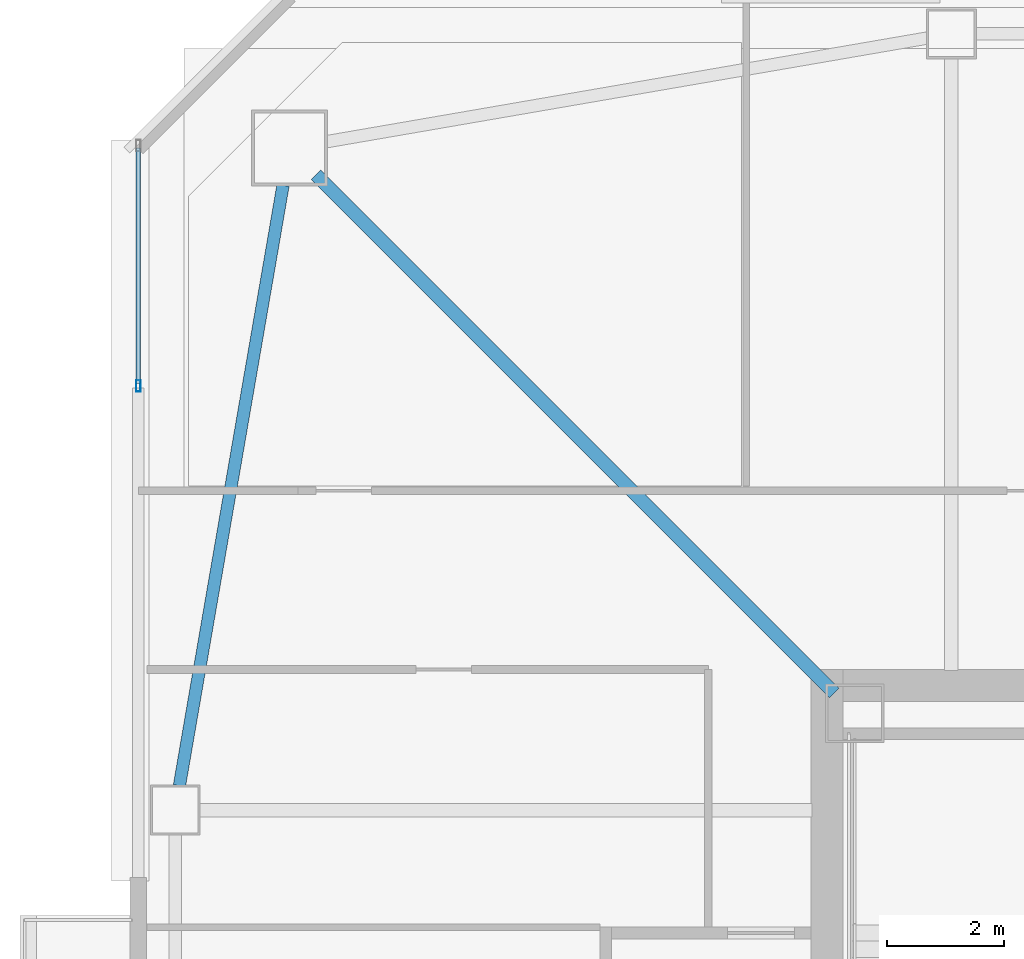
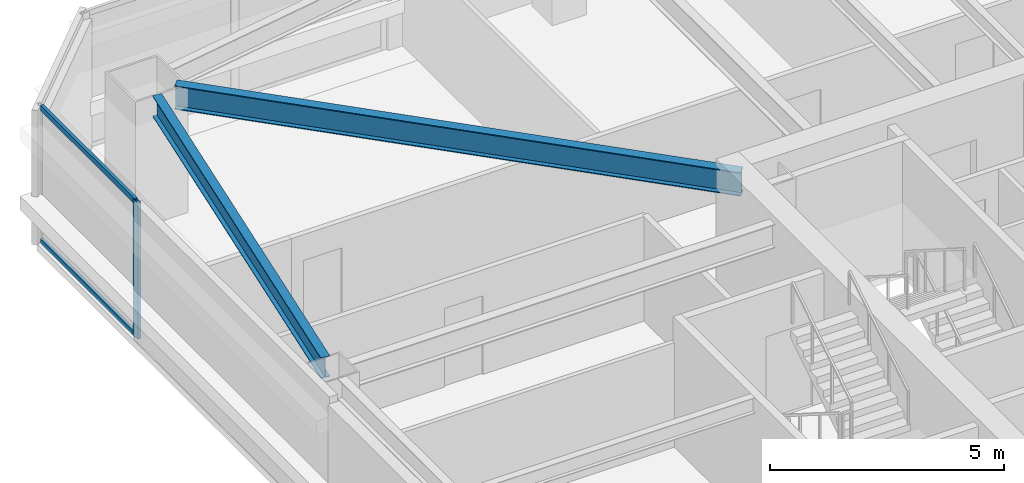
# One storey, part 10 of 46: 3 members, 2 beams, 1 element without a shape of its own.
"""IFC4 building model written with IfcOpenShell, lengths in metres."""

from ifc_helpers import new_model, si_unit, direction, frame, origin, origin_2d, place, context, subcontext, project, spatial, hollow_rectangle, i_section, extrude, material, material_profile, profile_set, type_object, element, aggregate, save


model = new_model("IFC4")

# Units and contexts
model_context = context("Model", 3, precision=1e-05, world=origin(), true_north=direction((0.0, 1.0)))
body_context = subcontext(model_context, "Body", "Model", "MODEL_VIEW")
ifc_project = project(units=[si_unit("LENGTHUNIT", "METRE"), si_unit("AREAUNIT", "SQUARE_METRE"), si_unit("VOLUMEUNIT", "CUBIC_METRE"), si_unit("PLANEANGLEUNIT", "RADIAN"), si_unit("MASSUNIT", "GRAM", prefix="KILO")], contexts=[model_context])

# Site, building, storey
site_placement = place(None, origin())
site = spatial("IfcSite", under=ifc_project, at=site_placement, CompositionType="ELEMENT")
building_placement = place(site_placement, origin())
building = spatial("IfcBuilding", under=site, at=building_placement, Name="Tashvorn Skyway Center", CompositionType="ELEMENT")
storey_placement = place(building_placement, frame((0.0, 0.0, 132.14990234375)))
storey = spatial("IfcBuildingStorey", under=building, at=storey_placement, Name="L35", CompositionType="ELEMENT", Elevation=132.14990234375)

# Beams
ifc_material_1 = material(Name="Steel ASTM A992 Grade 50", Category="steel")
ifc_material_profile_1 = material_profile(ifc_material_1, i_section(OverallWidth=0.22998046875, OverallDepth=0.616943359375, WebThickness=0.01318359375, FlangeThickness=0.022216796875, at=origin_2d()), Name="W24X94")
ifc_profile_set_1 = profile_set([ifc_material_profile_1], Name="Steel ASTM A992 Grade 50")
beam_type_1 = type_object("IfcBeamType", Name="BM-BEAM-W24X94", PredefinedType="BEAM", material=ifc_profile_set_1)
beam_1_placement = place(storey_placement, frame((25.756103515625, 48.243896484375, 3.0615234375), z_axis=(0.707106781187, -0.707106781187, 0.0), x_axis=(0.707106781187, 0.707106781187, 0.0)))
element("IfcBeam", 1, at=beam_1_placement, inside=storey, type_object=beam_type_1, Name="Tower 1 L35 Primary Floor Girder MC-NW", PredefinedType="BEAM", context=body_context, shape_type="SweptSolid", body=[
    extrude(i_section(OverallWidth=0.22998046875, OverallDepth=0.616943359375, WebThickness=0.01318359375, FlangeThickness=0.022216796875, at=origin_2d()), origin(), (0.0, 0.0, 1.0), 12.50732421875),
])
ifc_material_profile_2 = material_profile(ifc_material_1, i_section(OverallWidth=0.2109375, OverallDepth=0.5390625, WebThickness=0.01171875, FlangeThickness=0.018798828125, at=origin_2d()), Name="W21X73")
ifc_profile_set_2 = profile_set([ifc_material_profile_2], Name="Steel ASTM A992 Grade 50")
beam_type_2 = type_object("IfcBeamType", Name="BM-SPANDREL-W21X73", PredefinedType="SPANDREL", material=ifc_profile_set_2)
beam_2_placement = place(storey_placement, frame((25.1904296875, 48.064453125, 3.1005859375), z_axis=(-0.170067250846, -0.985432458462, 0.0), x_axis=(0.985432458462, -0.170067250846, 0.0)))
element("IfcBeam", 2, at=beam_2_placement, inside=storey, type_object=beam_type_2, Name="Tower 1 L35 Spandrel Beam 10", PredefinedType="SPANDREL", context=body_context, shape_type="SweptSolid", body=[
    extrude(i_section(OverallWidth=0.2109375, OverallDepth=0.5390625, WebThickness=0.01171875, FlangeThickness=0.018798828125, at=origin_2d()), origin(), (0.0, 0.0, 1.0), 10.402099609375),
])

# Curtain wall, members
ifc_material_2 = material(Name="Thermally broken bronze-anodized aluminium 6063-T6", Category="aluminium")
curtain_wall_type = type_object("IfcCurtainWallType", Name="CW-CW-Z3", PredefinedType="NOTDEFINED", material=ifc_material_2)
curtain_wall_placement = place(storey_placement, origin())
curtain_wall = element("IfcCurtainWall", 3, at=curtain_wall_placement, inside=storey, type_object=curtain_wall_type, Name="Tower 1 L35 West Curtain Wall R Glazing Group 1", PredefinedType="NOTDEFINED")
ifc_material_profile_3 = material_profile(ifc_material_2, hollow_rectangle(XDim=0.074951171875, YDim=0.199951171875, WallThickness=0.00439453125, at=origin_2d()), Name="ALU-MULL-75x200")
ifc_profile_set_3 = profile_set([ifc_material_profile_3], Name="Thermally broken bronze-anodized aluminium 6063-T6")
member_type_1 = type_object("IfcMemberType", Name="CWM-CW-Z3", PredefinedType="MULLION", material=ifc_profile_set_3)
member_1_placement = place(storey_placement, frame((22.719970703125, 44.640869140625, 0.0), z_axis=(0.0, 0.0, 1.0), x_axis=(-1.0, 0.0, 0.0)))
member_1 = element("IfcMember", 4, at=member_1_placement, type_object=member_type_1, Name="CW-Z3 mullion 1", PredefinedType="MULLION", context=body_context, shape_type="SweptSolid", body=[
    extrude(hollow_rectangle(XDim=0.074951171875, YDim=0.199951171875, WallThickness=0.00439453125, at=origin_2d()), origin(), (0.0, 0.0, 1.0), 3.550048828125),
])
ifc_material_profile_4 = material_profile(ifc_material_2, hollow_rectangle(XDim=0.074951171875, YDim=0.139892578125, WallThickness=0.004150390625, at=origin_2d()), Name="ALU-TRAN-75x140")
ifc_profile_set_4 = profile_set([ifc_material_profile_4], Name="Thermally broken bronze-anodized aluminium 6063-T6")
member_type_2 = type_object("IfcMemberType", Name="CWT-CW-Z3", PredefinedType="USERDEFINED", material=ifc_profile_set_4)
member_2_placement = place(storey_placement, frame((22.719970703125, 44.67822265625, 0.03759765625), z_axis=(0.0, 1.0, 0.0), x_axis=(-1.0, 0.0, 0.0)))
member_2 = element("IfcMember", 5, at=member_2_placement, type_object=member_type_2, Name="CW-Z3 transom 1.1", ObjectType="TRANSOM", PredefinedType="USERDEFINED", context=body_context, shape_type="SweptSolid", body=[
    extrude(hollow_rectangle(XDim=0.074951171875, YDim=0.139892578125, WallThickness=0.004150390625, at=origin_2d()), origin(), (0.0, 0.0, 1.0), 4.02685546875),
])
member_3_placement = place(storey_placement, frame((22.719970703125, 44.67822265625, 3.5126953125), z_axis=(0.0, 1.0, 0.0), x_axis=(-1.0, 0.0, 0.0)))
member_3 = element("IfcMember", 6, at=member_3_placement, type_object=member_type_2, Name="CW-Z3 transom 1.2", ObjectType="TRANSOM", PredefinedType="USERDEFINED", context=body_context, shape_type="SweptSolid", body=[
    extrude(hollow_rectangle(XDim=0.074951171875, YDim=0.139892578125, WallThickness=0.004150390625, at=origin_2d()), origin(), (0.0, 0.0, 1.0), 4.02685546875),
])
aggregate(curtain_wall, [member_1, member_2, member_3])

save(model, "model.ifc")
